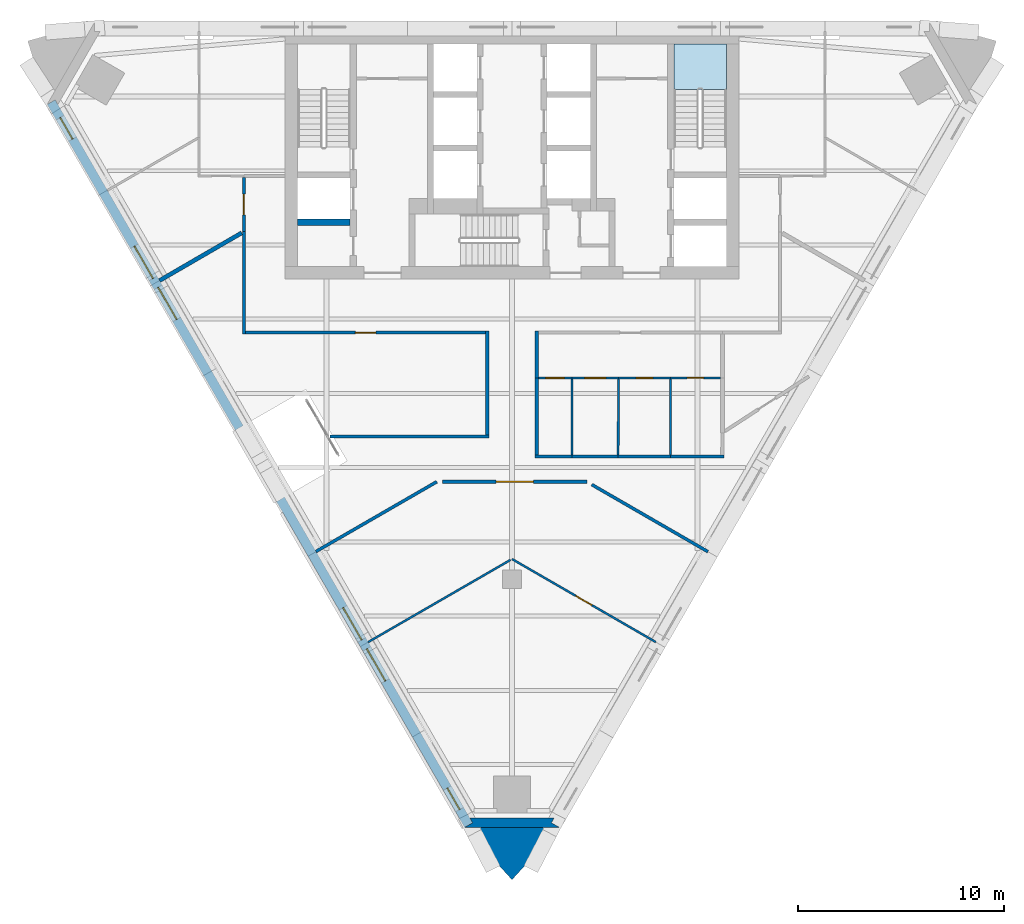
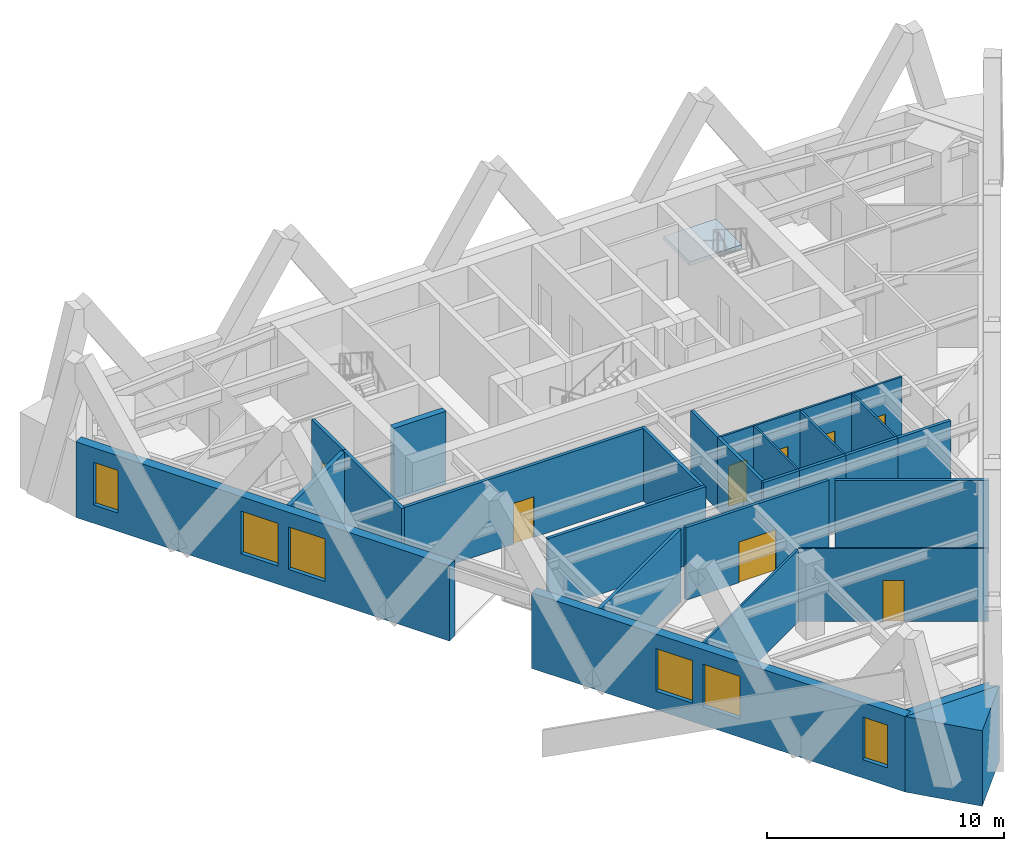
# One storey, part 4 of 9: 29 walls, 8 doors, 6 windows, 1 slab, 14 openings, 1 element without a shape of its own.
"""IFC4 building model written with IfcOpenShell, lengths in metres."""

from ifc_helpers import new_model, si_unit, direction, frame, frame_2d, origin, place, context, subcontext, project, spatial, polyline, rectangle, outline, extrude, material, layer, layer_set, type_object, element, fill, aggregate, save


model = new_model("IFC4")

# Units and contexts
model_context = context("Model", 3, precision=1e-05, world=origin(), true_north=direction((0.0, 1.0)))
body_context = subcontext(model_context, "Body", "Model", "MODEL_VIEW")
ifc_project = project(units=[si_unit("LENGTHUNIT", "METRE"), si_unit("AREAUNIT", "SQUARE_METRE"), si_unit("VOLUMEUNIT", "CUBIC_METRE"), si_unit("PLANEANGLEUNIT", "RADIAN"), si_unit("MASSUNIT", "GRAM", prefix="KILO")], contexts=[model_context])

# Site, building, storey
site_placement = place(None, origin())
site = spatial("IfcSite", under=ifc_project, at=site_placement, CompositionType="ELEMENT")
building_placement = place(site_placement, origin())
building = spatial("IfcBuilding", under=site, at=building_placement, Name="Aloe Facet Convention Tower", CompositionType="ELEMENT")
storey_placement = place(building_placement, frame((0.0, 0.0, 152.0)))
storey = spatial("IfcBuildingStorey", under=building, at=storey_placement, Name="L38", CompositionType="ELEMENT", Elevation=152.0)

# Stair, slab
ifc_material_1 = material(Name="Concrete C50/60", Category="concrete")
stair_type = type_object("IfcStairType", Name="CR-ST-22R", PredefinedType="HALF_TURN_STAIR", material=ifc_material_1)
stair_placement = place(storey_placement, origin())
stair = element("IfcStair", 1, at=stair_placement, inside=storey, type_object=stair_type, Name="L38 Protected exit stair ST2", PredefinedType="HALF_TURN_STAIR")
ifc_material_2 = material(Name="Concrete C50/60", Category="concrete")
ifc_layer_1 = layer(ifc_material_2, 0.199951171875)
ifc_layer_set_1 = layer_set([ifc_layer_1], Name="CR-SL-LANDING")
slab_type = type_object("IfcSlabType", Name="CR-SL-LANDING", PredefinedType="LANDING", material=ifc_layer_set_1)
slab_placement = place(storey_placement, frame((0.0, 0.0, 1.75)))
slab = element("IfcSlab", 2, at=slab_placement, type_object=slab_type, Name="ST2 landing 1", PredefinedType="LANDING", context=body_context, shape_type="SweptSolid", body=[
    extrude(outline(polyline([(90.39990234375, 131.75), (90.39990234375, 133.949951171875), (87.85009765625, 133.949951171875), (87.85009765625, 131.75), (90.39990234375, 131.75)])), origin(), (0.0, 0.0, 1.0), 0.199951171875),
])
aggregate(stair, [slab])

# Walls
ifc_material_3 = material(Name="Concrete C60/75", Category="concrete")
ifc_layer_2 = layer(ifc_material_3, 0.300048828125)
ifc_layer_set_2 = layer_set([ifc_layer_2], Name="CR-W-RC300-C6075")
wall_type_1 = type_object("IfcWallType", Name="CR-W-RC300-C6075", PredefinedType="SOLIDWALL", material=ifc_layer_set_2)
wall_1_placement = place(storey_placement, frame((69.60009765625, 125.300048828125, 0.0), z_axis=(0.0, 0.0, 1.0), x_axis=(1.0, 0.0, 0.0)))
element("IfcWall", 3, at=wall_1_placement, inside=storey, type_object=wall_type_1, Name="Core wall L38-005", PredefinedType="SOLIDWALL", context=body_context, shape_type="SweptSolid", body=[
    extrude(rectangle(XDim=2.5498046875, YDim=0.300048828125, at=frame_2d((1.27490234375, 0.0))), origin(), (0.0, 0.0, 1.0), 3.75),
])
ifc_material_4 = material(Name="Precast concrete C40/50", Category="concrete")
ifc_layer_3 = layer(ifc_material_4, 0.449951171875)
ifc_layer_set_3 = layer_set([ifc_layer_3], Name="EV-WALL-PIER")
wall_type_2 = type_object("IfcWallType", Name="EV-WALL-PIER", PredefinedType="SOLIDWALL", material=ifc_layer_set_3)
wall_2_placement = place(storey_placement, frame((0.0, 0.0, -0.14990234375)))
element("IfcWall", 4, at=wall_2_placement, inside=storey, type_object=wall_type_2, Name="EP-L38-B", PredefinedType="SOLIDWALL", context=body_context, shape_type="SweptSolid", body=[
    extrude(outline(polyline([(77.699951171875, 95.954345703125), (78.089599609375, 96.17919921875), (77.959716796875, 96.404296875), (82.040283203125, 96.404296875), (81.910400390625, 96.17919921875), (82.300048828125, 95.954345703125), (77.699951171875, 95.954345703125)])), origin(), (0.0, 0.0, 1.0), 3.89990234375),
])
ifc_material_5 = material(Name="Precast concrete C40/50", Category="concrete")
ifc_layer_4 = layer(ifc_material_5, 3.947998046875)
ifc_layer_set_4 = layer_set([ifc_layer_4], Name="EV-WALL-SPINE")
wall_type_3 = type_object("IfcWallType", Name="EV-WALL-SPINE", PredefinedType="SOLIDWALL", material=ifc_layer_set_4)
wall_3_placement = place(storey_placement, frame((0.0, 0.0, -0.14990234375)))
element("IfcWall", 5, at=wall_3_placement, inside=storey, type_object=wall_type_3, Name="SP-S-L38", PredefinedType="SOLIDWALL", context=body_context, shape_type="SweptSolid", body=[
    extrude(outline(polyline([(77.699951171875, 95.954345703125), (80.0, 93.4140625), (82.300048828125, 95.954345703125), (77.699951171875, 95.954345703125)])), origin(), (0.0, 0.0, 1.0), 3.89990234375),
])

# Wall, openings, windows
ifc_material_6 = material(Name="Precast concrete C40/50", Category="concrete")
ifc_layer_5 = layer(ifc_material_6, 0.449951171875)
ifc_layer_set_5 = layer_set([ifc_layer_5], Name="EV-WALL-STONE")
wall_type_4 = type_object("IfcWallType", Name="EV-WALL-STONE", PredefinedType="SOLIDWALL", material=ifc_layer_set_5)
wall_4_placement = place(storey_placement, frame((57.65185546875, 131.128662109375, -0.14990234375), z_axis=(0.0, 0.0, 1.0), x_axis=(0.50000511266, -0.866022451969, 0.0)))
wall_4 = element("IfcWall", 6, at=wall_4_placement, inside=storey, type_object=wall_type_4, Name="EW-L38-W01", PredefinedType="SOLIDWALL", context=body_context, shape_type="SweptSolid", body=[
    extrude(outline(polyline([(0.0, 0.0), (0.0, 3.89990234375), (18.2431640625, 3.89990234375), (18.2431640625, 0.0), (0.0, 0.0)])), frame((0.0, 0.22509765625, 0.0), z_axis=(0.0, -1.0, 0.0), x_axis=(1.0, 0.0, 0.0)), (0.0, 0.0, 1.0), 0.449951171875),
])
opening_1_placement = place(wall_4_placement, frame((0.86962890625, 0.0, 0.949951171875)))
opening_1 = element("IfcOpeningElement", 7, at=opening_1_placement, cuts=wall_4, Name="Opening W-L38-W01", PredefinedType="OPENING", context=body_context, shape_type="SweptSolid", body=[
    extrude(rectangle(XDim=1.199951171875, YDim=2.199951171875, at=frame_2d((0.60009765625, 1.10009765625))), frame((0.0, 0.23486328125, 0.0), z_axis=(0.0, -1.0, 0.0), x_axis=(1.0, 0.0, 0.0)), (0.0, 0.0, 1.0), 0.469970703125),
])
opening_2_placement = place(wall_4_placement, frame((8.071533203125, 0.0, 0.949951171875)))
opening_2 = element("IfcOpeningElement", 8, at=opening_2_placement, cuts=wall_4, Name="Opening W-L38-W02", PredefinedType="OPENING", context=body_context, shape_type="SweptSolid", body=[
    extrude(rectangle(XDim=1.800048828125, YDim=2.199951171875, at=frame_2d((0.89990234375, 1.10009765625))), frame((0.0, 0.23486328125, 0.0), z_axis=(0.0, -1.0, 0.0), x_axis=(1.0, 0.0, 0.0)), (0.0, 0.0, 1.0), 0.469970703125),
])
opening_3_placement = place(wall_4_placement, frame((10.37158203125, 0.0, 0.949951171875)))
opening_3 = element("IfcOpeningElement", 9, at=opening_3_placement, cuts=wall_4, Name="Opening W-L38-W03", PredefinedType="OPENING", context=body_context, shape_type="SweptSolid", body=[
    extrude(rectangle(XDim=1.800048828125, YDim=2.199951171875, at=frame_2d((0.89990234375, 1.10009765625))), frame((0.0, 0.23486328125, 0.0), z_axis=(0.0, -1.0, 0.0), x_axis=(1.0, 0.0, 0.0)), (0.0, 0.0, 1.0), 0.469970703125),
])
ifc_material_7 = material(Name="Aluminium frame, clear double glazing", Category="aluminium")
window_type_1 = type_object("IfcWindowType", Name="EV-WIN-O12", PartitioningType="SINGLE_PANEL", PredefinedType="WINDOW", material=ifc_material_7)
window_1_placement = place(opening_1_placement, origin())
window_1 = element("IfcWindow", 10, at=window_1_placement, inside=storey, type_object=window_type_1, Name="W-L38-W01", OverallHeight=2.199951171875, OverallWidth=1.199951171875, PartitioningType="SINGLE_PANEL", PredefinedType="WINDOW", context=body_context, shape_type="SweptSolid", body=[
    extrude(rectangle(XDim=1.199951171875, YDim=2.199951171875, at=frame_2d((0.60009765625, 1.10009765625))), frame((0.0, 0.030029296875, 0.0), z_axis=(0.0, -1.0, 0.0), x_axis=(1.0, 0.0, 0.0)), (0.0, 0.0, 1.0), 0.06005859375),
])
fill(opening_1, window_1)
ifc_material_8 = material(Name="Aluminium frame, clear double glazing", Category="aluminium")
window_type_2 = type_object("IfcWindowType", Name="EV-WIN-O18", PartitioningType="SINGLE_PANEL", PredefinedType="WINDOW", material=ifc_material_8)
window_2_placement = place(opening_2_placement, origin())
window_2 = element("IfcWindow", 11, at=window_2_placement, inside=storey, type_object=window_type_2, Name="W-L38-W02", OverallHeight=2.199951171875, OverallWidth=1.800048828125, PartitioningType="SINGLE_PANEL", PredefinedType="WINDOW", context=body_context, shape_type="SweptSolid", body=[
    extrude(rectangle(XDim=1.800048828125, YDim=2.199951171875, at=frame_2d((0.89990234375, 1.10009765625))), frame((0.0, 0.030029296875, 0.0), z_axis=(0.0, -1.0, 0.0), x_axis=(1.0, 0.0, 0.0)), (0.0, 0.0, 1.0), 0.06005859375),
])
fill(opening_2, window_2)
window_3_placement = place(opening_3_placement, origin())
window_3 = element("IfcWindow", 12, at=window_3_placement, inside=storey, type_object=window_type_2, Name="W-L38-W03", OverallHeight=2.199951171875, OverallWidth=1.800048828125, PartitioningType="SINGLE_PANEL", PredefinedType="WINDOW", context=body_context, shape_type="SweptSolid", body=[
    extrude(rectangle(XDim=1.800048828125, YDim=2.199951171875, at=frame_2d((0.89990234375, 1.10009765625))), frame((0.0, 0.030029296875, 0.0), z_axis=(0.0, -1.0, 0.0), x_axis=(1.0, 0.0, 0.0)), (0.0, 0.0, 1.0), 0.06005859375),
])
fill(opening_3, window_3)

wall_5_placement = place(storey_placement, frame((68.7734375, 111.86572265625, -0.14990234375), z_axis=(0.0, 0.0, 1.0), x_axis=(0.499989280757, -0.866031592454, 0.0)))
wall_5 = element("IfcWall", 13, at=wall_5_placement, inside=storey, type_object=wall_type_4, Name="EW-L38-W02", PredefinedType="SOLIDWALL", context=body_context, shape_type="SweptSolid", body=[
    extrude(outline(polyline([(18.2431640625, 3.89990234375), (18.2431640625, 0.0), (0.0, 0.0), (0.0, 3.89990234375), (18.2431640625, 3.89990234375)])), frame((0.0, 0.22509765625, 0.0), z_axis=(0.0, -1.0, 0.0), x_axis=(1.0, 0.0, 0.0)), (0.0, 0.0, 1.0), 0.449951171875),
])
opening_4_placement = place(wall_5_placement, frame((6.071533203125, 0.0, 0.949951171875)))
opening_4 = element("IfcOpeningElement", 14, at=opening_4_placement, cuts=wall_5, Name="Opening W-L38-W04", PredefinedType="OPENING", context=body_context, shape_type="SweptSolid", body=[
    extrude(rectangle(XDim=1.800048828125, YDim=2.199951171875, at=frame_2d((0.89990234375, 1.10009765625))), frame((0.0, 0.23486328125, 0.0), z_axis=(0.0, -1.0, 0.0), x_axis=(1.0, 0.0, 0.0)), (0.0, 0.0, 1.0), 0.469970703125),
])
opening_5_placement = place(wall_5_placement, frame((8.37158203125, 0.0, 0.949951171875)))
opening_5 = element("IfcOpeningElement", 15, at=opening_5_placement, cuts=wall_5, Name="Opening W-L38-W05", PredefinedType="OPENING", context=body_context, shape_type="SweptSolid", body=[
    extrude(rectangle(XDim=1.800048828125, YDim=2.199951171875, at=frame_2d((0.89990234375, 1.10009765625))), frame((0.0, 0.23486328125, 0.0), z_axis=(0.0, -1.0, 0.0), x_axis=(1.0, 0.0, 0.0)), (0.0, 0.0, 1.0), 0.469970703125),
])
opening_6_placement = place(wall_5_placement, frame((16.17333984375, 0.0, 0.949951171875)))
opening_6 = element("IfcOpeningElement", 16, at=opening_6_placement, cuts=wall_5, Name="Opening W-L38-W06", PredefinedType="OPENING", context=body_context, shape_type="SweptSolid", body=[
    extrude(rectangle(XDim=1.199951171875, YDim=2.199951171875, at=frame_2d((0.60009765625, 1.10009765625))), frame((0.0, 0.23486328125, 0.0), z_axis=(0.0, -1.0, 0.0), x_axis=(1.0, 0.0, 0.0)), (0.0, 0.0, 1.0), 0.469970703125),
])
window_4_placement = place(opening_6_placement, origin())
window_4 = element("IfcWindow", 17, at=window_4_placement, inside=storey, type_object=window_type_1, Name="W-L38-W06", OverallHeight=2.199951171875, OverallWidth=1.199951171875, PartitioningType="SINGLE_PANEL", PredefinedType="WINDOW", context=body_context, shape_type="SweptSolid", body=[
    extrude(rectangle(XDim=1.199951171875, YDim=2.199951171875, at=frame_2d((0.60009765625, 1.10009765625))), frame((0.0, 0.030029296875, 0.0), z_axis=(0.0, -1.0, 0.0), x_axis=(1.0, 0.0, 0.0)), (0.0, 0.0, 1.0), 0.06005859375),
])
fill(opening_6, window_4)
window_5_placement = place(opening_4_placement, origin())
window_5 = element("IfcWindow", 18, at=window_5_placement, inside=storey, type_object=window_type_2, Name="W-L38-W04", OverallHeight=2.199951171875, OverallWidth=1.800048828125, PartitioningType="SINGLE_PANEL", PredefinedType="WINDOW", context=body_context, shape_type="SweptSolid", body=[
    extrude(rectangle(XDim=1.800048828125, YDim=2.199951171875, at=frame_2d((0.89990234375, 1.10009765625))), frame((0.0, 0.030029296875, 0.0), z_axis=(0.0, -1.0, 0.0), x_axis=(1.0, 0.0, 0.0)), (0.0, 0.0, 1.0), 0.06005859375),
])
fill(opening_4, window_5)
window_6_placement = place(opening_5_placement, origin())
window_6 = element("IfcWindow", 19, at=window_6_placement, inside=storey, type_object=window_type_2, Name="W-L38-W05", OverallHeight=2.199951171875, OverallWidth=1.800048828125, PartitioningType="SINGLE_PANEL", PredefinedType="WINDOW", context=body_context, shape_type="SweptSolid", body=[
    extrude(rectangle(XDim=1.800048828125, YDim=2.199951171875, at=frame_2d((0.89990234375, 1.10009765625))), frame((0.0, 0.030029296875, 0.0), z_axis=(0.0, -1.0, 0.0), x_axis=(1.0, 0.0, 0.0)), (0.0, 0.0, 1.0), 0.06005859375),
])
fill(opening_5, window_6)

# Wall
ifc_material_9 = material(Name="Gypsum board partition on steel studs", Category="steel")
ifc_layer_6 = layer(ifc_material_9, 0.14990234375)
ifc_layer_set_6 = layer_set([ifc_layer_6], Name="IN-W-CORR")
wall_type_5 = type_object("IfcWallType", Name="IN-W-CORR", PredefinedType="PARTITIONING", material=ifc_layer_set_6)
wall_6_placement = place(storey_placement, frame((70.493896484375, 109.33544921875, 0.0), z_axis=(0.0, 0.0, 1.0), x_axis=(0.866025150839, 0.500000438114, 0.0)))
element("IfcWall", 20, at=wall_6_placement, inside=storey, type_object=wall_type_5, Name="Partition L38-W003", PredefinedType="PARTITIONING", context=body_context, shape_type="SweptSolid", body=[
    extrude(rectangle(XDim=6.76611328125, YDim=0.14990234375, at=frame_2d((3.383056640625, 0.0))), origin(), (0.0, 0.0, 1.0), 3.75),
])

# Wall, opening, door
wall_7_placement = place(storey_placement, frame((76.633544921875, 112.718505859375, 0.0), z_axis=(0.0, 0.0, 1.0), x_axis=(1.0, 0.0, 0.0)))
wall_7 = element("IfcWall", 21, at=wall_7_placement, inside=storey, type_object=wall_type_5, Name="Partition L38-W004", PredefinedType="PARTITIONING", context=body_context, shape_type="SweptSolid", body=[
    extrude(rectangle(XDim=6.99462890625, YDim=0.14990234375, at=frame_2d((3.497314453125, 0.0))), origin(), (0.0, 0.0, 1.0), 3.75),
])
opening_7_placement = place(wall_7_placement, frame((2.597412109375, 0.0, 0.0)))
opening_7 = element("IfcOpeningElement", 22, at=opening_7_placement, cuts=wall_7, Name="Opening L38-015", PredefinedType="OPENING", context=body_context, shape_type="SweptSolid", body=[
    extrude(rectangle(XDim=1.800048828125, YDim=2.10009765625, at=frame_2d((0.89990234375, 1.050048828125))), frame((0.0, 0.0849609375, 0.0), z_axis=(0.0, -1.0, 0.0), x_axis=(1.0, 0.0, 0.0)), (0.0, 0.0, 1.0), 0.169921875),
])
ifc_material_10 = material(Name="Glazed timber door pair FD30S", Category="wood")
door_type_1 = type_object("IfcDoorType", Name="IN-OFF-D-SUITE", OperationType="DOUBLE_DOOR_SINGLE_SWING", PredefinedType="DOOR", material=ifc_material_10)
door_1_placement = place(opening_7_placement, origin())
door_1 = element("IfcDoor", 23, at=door_1_placement, inside=storey, type_object=door_type_1, Name="Door L38-015", OperationType="SINGLE_SWING_LEFT", OverallHeight=2.10009765625, OverallWidth=1.800048828125, PredefinedType="DOOR", context=body_context, shape_type="SweptSolid", body=[
    extrude(rectangle(XDim=1.800048828125, YDim=2.10009765625, at=frame_2d((0.89990234375, 1.050048828125))), frame((0.0, 0.02490234375, 0.0), z_axis=(0.0, -1.0, 0.0), x_axis=(1.0, 0.0, 0.0)), (0.0, 0.0, 1.0), 0.050048828125),
])
fill(opening_7, door_1)

# Walls
wall_8_placement = place(storey_placement, frame((83.87060546875, 112.57861328125, 0.0), z_axis=(0.0, 0.0, 1.0), x_axis=(0.866009251978, -0.500027974705, 0.0)))
element("IfcWall", 24, at=wall_8_placement, inside=storey, type_object=wall_type_5, Name="Partition L38-W005", PredefinedType="PARTITIONING", context=body_context, shape_type="SweptSolid", body=[
    extrude(rectangle(XDim=6.502197265625, YDim=0.14990234375, at=frame_2d((3.2509765625, 0.0))), origin(), (0.0, 0.0, 1.0), 3.75),
])
wall_9_placement = place(storey_placement, frame((81.126953125, 113.949951171875, 0.0), z_axis=(0.0, 0.0, 1.0), x_axis=(1.0, 0.0, 0.0)))
element("IfcWall", 25, at=wall_9_placement, inside=storey, type_object=wall_type_5, Name="Partition L38-W006", PredefinedType="PARTITIONING", context=body_context, shape_type="SweptSolid", body=[
    extrude(rectangle(XDim=1.77294921875, YDim=0.14990234375, at=frame_2d((0.886474609375, 0.0))), origin(), (0.0, 0.0, 1.0), 3.75),
])
wall_10_placement = place(storey_placement, frame((82.89990234375, 113.949951171875, 0.0), z_axis=(0.0, 0.0, 1.0), x_axis=(1.0, 0.0, 0.0)))
element("IfcWall", 26, at=wall_10_placement, inside=storey, type_object=wall_type_5, Name="Partition L38-W007", PredefinedType="PARTITIONING", context=body_context, shape_type="SweptSolid", body=[
    extrude(rectangle(XDim=2.25, YDim=0.14990234375, at=frame_2d((1.125, 0.0))), origin(), (0.0, 0.0, 1.0), 3.75),
])
wall_11_placement = place(storey_placement, frame((85.14990234375, 113.949951171875, 0.0), z_axis=(0.0, 0.0, 1.0), x_axis=(1.0, 0.0, 0.0)))
element("IfcWall", 27, at=wall_11_placement, inside=storey, type_object=wall_type_5, Name="Partition L38-W008", PredefinedType="PARTITIONING", context=body_context, shape_type="SweptSolid", body=[
    extrude(rectangle(XDim=2.5400390625, YDim=0.14990234375, at=frame_2d((1.27001953125, 0.0))), origin(), (0.0, 0.0, 1.0), 3.75),
])
wall_12_placement = place(storey_placement, frame((87.68994140625, 113.949951171875, 0.0), z_axis=(0.0, 0.0, 1.0), x_axis=(1.0, 0.0, 0.0)))
element("IfcWall", 28, at=wall_12_placement, inside=storey, type_object=wall_type_5, Name="Partition L38-W009", PredefinedType="PARTITIONING", context=body_context, shape_type="SweptSolid", body=[
    extrude(rectangle(XDim=2.5830078125, YDim=0.14990234375, at=frame_2d((1.29150390625, 0.0))), origin(), (0.0, 0.0, 1.0), 3.75),
])
wall_13_placement = place(storey_placement, frame((71.16455078125, 114.91845703125, 0.0), z_axis=(0.0, 0.0, 1.0), x_axis=(1.0, 0.0, 0.0)))
element("IfcWall", 29, at=wall_13_placement, inside=storey, type_object=wall_type_5, Name="Partition L38-W011", PredefinedType="PARTITIONING", context=body_context, shape_type="SweptSolid", body=[
    extrude(rectangle(XDim=7.70849609375, YDim=0.14990234375, at=frame_2d((3.854248046875, 0.0))), origin(), (0.0, 0.0, 1.0), 3.75),
])
wall_14_placement = place(storey_placement, frame((78.798095703125, 114.993408203125, 0.0), z_axis=(0.0, 0.0, 1.0), x_axis=(0.000388330634, 0.9999999246, 0.0)))
element("IfcWall", 30, at=wall_14_placement, inside=storey, type_object=wall_type_5, Name="Partition L38-W012", PredefinedType="PARTITIONING", context=body_context, shape_type="SweptSolid", body=[
    extrude(rectangle(XDim=5.029541015625, YDim=0.14990234375, at=frame_2d((2.5146484375, 0.0))), origin(), (0.0, 0.0, 1.0), 3.75),
])
wall_15_placement = place(storey_placement, frame((81.201904296875, 114.02490234375, 0.0), z_axis=(0.0, 0.0, 1.0), x_axis=(-0.000524315041, 0.999999862547, 0.0)))
element("IfcWall", 31, at=wall_15_placement, inside=storey, type_object=wall_type_5, Name="Partition L38-W023", PredefinedType="PARTITIONING", context=body_context, shape_type="SweptSolid", body=[
    extrude(rectangle(XDim=3.72509765625, YDim=0.14990234375, at=frame_2d((1.862548828125, 0.0))), origin(), (0.0, 0.0, 1.0), 3.75),
])
wall_16_placement = place(storey_placement, frame((81.199951171875, 117.75, 0.0), z_axis=(0.0, 0.0, 1.0), x_axis=(0.0, 1.0, 0.0)))
element("IfcWall", 32, at=wall_16_placement, inside=storey, type_object=wall_type_5, Name="Partition L38-W024", PredefinedType="PARTITIONING", context=body_context, shape_type="SweptSolid", body=[
    extrude(rectangle(XDim=2.27294921875, YDim=0.14990234375, at=frame_2d((1.136474609375, 0.0))), origin(), (0.0, 0.0, 1.0), 3.75),
])
wall_17_placement = place(storey_placement, frame((67.0, 119.875, 0.0), z_axis=(0.0, 0.0, 1.0), x_axis=(0.0, 1.0, 0.0)))
element("IfcWall", 33, at=wall_17_placement, inside=storey, type_object=wall_type_5, Name="Partition L38-W025", PredefinedType="PARTITIONING", context=body_context, shape_type="SweptSolid", body=[
    extrude(rectangle(XDim=4.974853515625, YDim=0.14990234375, at=frame_2d((2.4873046875, 0.0))), origin(), (0.0, 0.0, 1.0), 3.75),
])

# Wall, opening, door
wall_18_placement = place(storey_placement, frame((67.074951171875, 119.949951171875, 0.0), z_axis=(0.0, 0.0, 1.0), x_axis=(0.999999985947, -0.000167648104, 0.0)))
wall_18 = element("IfcWall", 34, at=wall_18_placement, inside=storey, type_object=wall_type_5, Name="Partition L38-W026", PredefinedType="PARTITIONING", context=body_context, shape_type="SweptSolid", body=[
    extrude(rectangle(XDim=11.650146484375, YDim=0.14990234375, at=frame_2d((5.8251953125, 0.0))), origin(), (0.0, 0.0, 1.0), 3.75),
])
opening_8_placement = place(wall_18_placement, frame((5.324951171875, 0.0, 0.0)))
opening_8 = element("IfcOpeningElement", 35, at=opening_8_placement, cuts=wall_18, Name="Opening L38-009", PredefinedType="OPENING", context=body_context, shape_type="SweptSolid", body=[
    extrude(rectangle(XDim=1.0, YDim=2.10009765625, at=frame_2d((0.5, 1.050048828125))), frame((0.0, 0.0849609375, 0.0), z_axis=(0.0, -1.0, 0.0), x_axis=(1.0, 0.0, 0.0)), (0.0, 0.0, 1.0), 0.169921875),
])
ifc_material_11 = material(Name="Timber door FD30S with vision panel", Category="wood")
door_type_2 = type_object("IfcDoorType", Name="IN-OFF-D-ENTRY", OperationType="SINGLE_SWING_LEFT", PredefinedType="DOOR", material=ifc_material_11)
door_2_placement = place(opening_8_placement, origin())
door_2 = element("IfcDoor", 36, at=door_2_placement, inside=storey, type_object=door_type_2, Name="Door L38-009", OperationType="SINGLE_SWING_LEFT", OverallHeight=2.10009765625, OverallWidth=1.0, PredefinedType="DOOR", context=body_context, shape_type="SweptSolid", body=[
    extrude(rectangle(XDim=1.0, YDim=2.10009765625, at=frame_2d((0.5, 1.050048828125))), frame((0.0, 0.02490234375, 0.0), z_axis=(0.0, -1.0, 0.0), x_axis=(1.0, 0.0, 0.0)), (0.0, 0.0, 1.0), 0.050048828125),
])
fill(opening_8, door_2)

wall_19_placement = place(storey_placement, frame((67.0, 124.849853515625, 0.0), z_axis=(0.0, 0.0, 1.0), x_axis=(0.0, 1.0, 0.0)))
wall_19 = element("IfcWall", 37, at=wall_19_placement, inside=storey, type_object=wall_type_5, Name="Partition L38-W031", PredefinedType="PARTITIONING", context=body_context, shape_type="SweptSolid", body=[
    extrude(rectangle(XDim=2.625, YDim=0.14990234375, at=frame_2d((1.3125, 0.0))), origin(), (0.0, 0.0, 1.0), 3.75),
])
opening_9_placement = place(wall_19_placement, frame((0.8125, 0.0, 0.0)))
opening_9 = element("IfcOpeningElement", 38, at=opening_9_placement, cuts=wall_19, Name="Opening L38-008", PredefinedType="OPENING", context=body_context, shape_type="SweptSolid", body=[
    extrude(rectangle(XDim=1.0, YDim=2.10009765625, at=frame_2d((0.5, 1.050048828125))), frame((0.0, 0.0849609375, 0.0), z_axis=(0.0, -1.0, 0.0), x_axis=(1.0, 0.0, 0.0)), (0.0, 0.0, 1.0), 0.169921875),
])
door_3_placement = place(opening_9_placement, origin())
door_3 = element("IfcDoor", 39, at=door_3_placement, inside=storey, type_object=door_type_2, Name="Door L38-008", OperationType="SINGLE_SWING_LEFT", OverallHeight=2.10009765625, OverallWidth=1.0, PredefinedType="DOOR", context=body_context, shape_type="SweptSolid", body=[
    extrude(rectangle(XDim=1.0, YDim=2.10009765625, at=frame_2d((0.5, 1.050048828125))), frame((0.0, 0.02490234375, 0.0), z_axis=(0.0, -1.0, 0.0), x_axis=(1.0, 0.0, 0.0)), (0.0, 0.0, 1.0), 0.050048828125),
])
fill(opening_9, door_3)

ifc_material_12 = material(Name="Gypsum board partition on steel studs", Category="steel")
ifc_layer_7 = layer(ifc_material_12, 0.10009765625)
ifc_layer_set_7 = layer_set([ifc_layer_7], Name="IN-W-PART")
wall_type_6 = type_object("IfcWallType", Name="IN-W-PART", PredefinedType="PARTITIONING", material=ifc_layer_set_7)
wall_20_placement = place(storey_placement, frame((80.0, 108.969482421875, 0.0), z_axis=(0.0, 0.0, 1.0), x_axis=(0.86602648383, -0.499998129301, 0.0)))
wall_20 = element("IfcWall", 40, at=wall_20_placement, inside=storey, type_object=wall_type_6, Name="Partition L38-W001", PredefinedType="PARTITIONING", context=body_context, shape_type="SweptSolid", body=[
    extrude(rectangle(XDim=8.04931640625, YDim=0.10009765625, at=frame_2d((4.024658203125, 0.0))), origin(), (0.0, 0.0, 1.0), 3.75),
])
opening_10_placement = place(wall_20_placement, frame((3.57470703125, 0.0, 0.0)))
opening_10 = element("IfcOpeningElement", 41, at=opening_10_placement, cuts=wall_20, Name="Opening L38-014", PredefinedType="OPENING", context=body_context, shape_type="SweptSolid", body=[
    extrude(rectangle(XDim=0.89990234375, YDim=2.10009765625, at=frame_2d((0.449951171875, 1.050048828125))), frame((0.0, 0.06005859375, 0.0), z_axis=(0.0, -1.0, 0.0), x_axis=(1.0, 0.0, 0.0)), (0.0, 0.0, 1.0), 0.1201171875),
])
ifc_material_13 = material(Name="Timber door", Category="wood")
door_type_3 = type_object("IfcDoorType", Name="IN-OFF-D-ROOM", OperationType="SINGLE_SWING_LEFT", PredefinedType="DOOR", material=ifc_material_13)
door_4_placement = place(opening_10_placement, origin())
door_4 = element("IfcDoor", 42, at=door_4_placement, inside=storey, type_object=door_type_3, Name="Door L38-014", OperationType="SINGLE_SWING_LEFT", OverallHeight=2.10009765625, OverallWidth=0.89990234375, PredefinedType="DOOR", context=body_context, shape_type="SweptSolid", body=[
    extrude(rectangle(XDim=0.89990234375, YDim=2.10009765625, at=frame_2d((0.449951171875, 1.050048828125))), frame((0.0, 0.02490234375, 0.0), z_axis=(0.0, -1.0, 0.0), x_axis=(1.0, 0.0, 0.0)), (0.0, 0.0, 1.0), 0.050048828125),
])
fill(opening_10, door_4)

# Walls
wall_21_placement = place(storey_placement, frame((73.029052734375, 104.94482421875, 0.0), z_axis=(0.0, 0.0, 1.0), x_axis=(0.866023222546, 0.500003777996, 0.0)))
element("IfcWall", 43, at=wall_21_placement, inside=storey, type_object=wall_type_6, Name="Partition L38-W002", PredefinedType="PARTITIONING", context=body_context, shape_type="SweptSolid", body=[
    extrude(rectangle(XDim=7.962890625, YDim=0.10009765625, at=frame_2d((3.9814453125, 0.0))), origin(), (0.0, 0.0, 1.0), 3.75),
])
wall_22_placement = place(storey_placement, frame((82.900146484375, 114.02490234375, 0.0), z_axis=(0.0, 0.0, 1.0), x_axis=(0.002657268237, 0.999996469457, 0.0)))
element("IfcWall", 44, at=wall_22_placement, inside=storey, type_object=wall_type_6, Name="Partition L38-W016", PredefinedType="PARTITIONING", context=body_context, shape_type="SweptSolid", body=[
    extrude(rectangle(XDim=3.675048828125, YDim=0.10009765625, at=frame_2d((1.83740234375, 0.0))), origin(), (0.0, 0.0, 1.0), 3.75),
])

# Wall, opening, door
wall_23_placement = place(storey_placement, frame((81.27490234375, 117.75, 0.0), z_axis=(0.0, 0.0, 1.0), x_axis=(1.0, 0.0, 0.0)))
wall_23 = element("IfcWall", 45, at=wall_23_placement, inside=storey, type_object=wall_type_6, Name="Partition L38-W017", PredefinedType="PARTITIONING", context=body_context, shape_type="SweptSolid", body=[
    extrude(rectangle(XDim=1.635009765625, YDim=0.10009765625, at=frame_2d((0.8173828125, 0.0))), origin(), (0.0, 0.0, 1.0), 3.75),
])
opening_11_placement = place(wall_23_placement, frame((0.367431640625, 0.0, 0.0)))
opening_11 = element("IfcOpeningElement", 46, at=opening_11_placement, cuts=wall_23, Name="Opening L38-002", PredefinedType="OPENING", context=body_context, shape_type="SweptSolid", body=[
    extrude(rectangle(XDim=0.89990234375, YDim=2.10009765625, at=frame_2d((0.449951171875, 1.050048828125))), frame((0.0, 0.06005859375, 0.0), z_axis=(0.0, -1.0, 0.0), x_axis=(1.0, 0.0, 0.0)), (0.0, 0.0, 1.0), 0.1201171875),
])
door_5_placement = place(opening_11_placement, origin())
door_5 = element("IfcDoor", 47, at=door_5_placement, inside=storey, type_object=door_type_3, Name="Door L38-002", OperationType="SINGLE_SWING_LEFT", OverallHeight=2.10009765625, OverallWidth=0.89990234375, PredefinedType="DOOR", context=body_context, shape_type="SweptSolid", body=[
    extrude(rectangle(XDim=0.89990234375, YDim=2.10009765625, at=frame_2d((0.449951171875, 1.050048828125))), frame((0.0, 0.02490234375, 0.0), z_axis=(0.0, -1.0, 0.0), x_axis=(1.0, 0.0, 0.0)), (0.0, 0.0, 1.0), 0.050048828125),
])
fill(opening_11, door_5)

# Wall
wall_24_placement = place(storey_placement, frame((85.150146484375, 114.02490234375, 0.0), z_axis=(0.0, 0.0, 1.0), x_axis=(0.002657268237, 0.999996469457, 0.0)))
element("IfcWall", 48, at=wall_24_placement, inside=storey, type_object=wall_type_6, Name="Partition L38-W018", PredefinedType="PARTITIONING", context=body_context, shape_type="SweptSolid", body=[
    extrude(rectangle(XDim=3.675048828125, YDim=0.10009765625, at=frame_2d((1.83740234375, 0.0))), origin(), (0.0, 0.0, 1.0), 3.75),
])

# Wall, opening, door
wall_25_placement = place(storey_placement, frame((82.909912109375, 117.75, 0.0), z_axis=(0.0, 0.0, 1.0), x_axis=(1.0, 0.0, 0.0)))
wall_25 = element("IfcWall", 49, at=wall_25_placement, inside=storey, type_object=wall_type_6, Name="Partition L38-W019", PredefinedType="PARTITIONING", context=body_context, shape_type="SweptSolid", body=[
    extrude(rectangle(XDim=2.25, YDim=0.10009765625, at=frame_2d((1.125, 0.0))), origin(), (0.0, 0.0, 1.0), 3.75),
])
opening_12_placement = place(wall_25_placement, frame((0.625, 0.0, 0.0)))
opening_12 = element("IfcOpeningElement", 50, at=opening_12_placement, cuts=wall_25, Name="Opening L38-003", PredefinedType="OPENING", context=body_context, shape_type="SweptSolid", body=[
    extrude(rectangle(XDim=1.0, YDim=2.10009765625, at=frame_2d((0.5, 1.050048828125))), frame((0.0, 0.06005859375, 0.0), z_axis=(0.0, -1.0, 0.0), x_axis=(1.0, 0.0, 0.0)), (0.0, 0.0, 1.0), 0.1201171875),
])
ifc_material_14 = material(Name="Timber door", Category="wood")
door_type_4 = type_object("IfcDoorType", Name="IN-OFF-D-WIDE", OperationType="SINGLE_SWING_LEFT", PredefinedType="DOOR", material=ifc_material_14)
door_6_placement = place(opening_12_placement, origin())
door_6 = element("IfcDoor", 51, at=door_6_placement, inside=storey, type_object=door_type_4, Name="Door L38-003", OperationType="SINGLE_SWING_LEFT", OverallHeight=2.10009765625, OverallWidth=1.0, PredefinedType="DOOR", context=body_context, shape_type="SweptSolid", body=[
    extrude(rectangle(XDim=1.0, YDim=2.10009765625, at=frame_2d((0.5, 1.050048828125))), frame((0.0, 0.02490234375, 0.0), z_axis=(0.0, -1.0, 0.0), x_axis=(1.0, 0.0, 0.0)), (0.0, 0.0, 1.0), 0.050048828125),
])
fill(opening_12, door_6)

# Wall
wall_26_placement = place(storey_placement, frame((87.689697265625, 114.02490234375, 0.0), z_axis=(0.0, 0.0, 1.0), x_axis=(-0.002590836983, 0.999996643776, 0.0)))
element("IfcWall", 52, at=wall_26_placement, inside=storey, type_object=wall_type_6, Name="Partition L38-W020", PredefinedType="PARTITIONING", context=body_context, shape_type="SweptSolid", body=[
    extrude(rectangle(XDim=3.675048828125, YDim=0.10009765625, at=frame_2d((1.83740234375, 0.0))), origin(), (0.0, 0.0, 1.0), 3.75),
])

# Wall, opening, door
wall_27_placement = place(storey_placement, frame((85.159912109375, 117.75, 0.0), z_axis=(0.0, 0.0, 1.0), x_axis=(1.0, 0.0, 0.0)))
wall_27 = element("IfcWall", 53, at=wall_27_placement, inside=storey, type_object=wall_type_6, Name="Partition L38-W021", PredefinedType="PARTITIONING", context=body_context, shape_type="SweptSolid", body=[
    extrude(rectangle(XDim=2.52001953125, YDim=0.10009765625, at=frame_2d((1.260009765625, 0.0))), origin(), (0.0, 0.0, 1.0), 3.75),
])
opening_13_placement = place(wall_27_placement, frame((0.860107421875, 0.0, 0.0)))
opening_13 = element("IfcOpeningElement", 54, at=opening_13_placement, cuts=wall_27, Name="Opening L38-004", PredefinedType="OPENING", context=body_context, shape_type="SweptSolid", body=[
    extrude(rectangle(XDim=0.800048828125, YDim=2.10009765625, at=frame_2d((0.39990234375, 1.050048828125))), frame((0.0, 0.06005859375, 0.0), z_axis=(0.0, -1.0, 0.0), x_axis=(1.0, 0.0, 0.0)), (0.0, 0.0, 1.0), 0.1201171875),
])
ifc_material_15 = material(Name="Timber door", Category="wood")
door_type_5 = type_object("IfcDoorType", Name="IN-OFF-D-WC", OperationType="SINGLE_SWING_LEFT", PredefinedType="DOOR", material=ifc_material_15)
door_7_placement = place(opening_13_placement, origin())
door_7 = element("IfcDoor", 55, at=door_7_placement, inside=storey, type_object=door_type_5, Name="Door L38-004", OperationType="SINGLE_SWING_LEFT", OverallHeight=2.10009765625, OverallWidth=0.800048828125, PredefinedType="DOOR", context=body_context, shape_type="SweptSolid", body=[
    extrude(rectangle(XDim=0.800048828125, YDim=2.10009765625, at=frame_2d((0.39990234375, 1.050048828125))), frame((0.0, 0.02490234375, 0.0), z_axis=(0.0, -1.0, 0.0), x_axis=(1.0, 0.0, 0.0)), (0.0, 0.0, 1.0), 0.050048828125),
])
fill(opening_13, door_7)

wall_28_placement = place(storey_placement, frame((87.679931640625, 117.75, 0.0), z_axis=(0.0, 0.0, 1.0), x_axis=(0.999992261016, 0.003934197335, 0.0)))
wall_28 = element("IfcWall", 56, at=wall_28_placement, inside=storey, type_object=wall_type_6, Name="Partition L38-W022", PredefinedType="PARTITIONING", context=body_context, shape_type="SweptSolid", body=[
    extrude(rectangle(XDim=2.420166015625, YDim=0.10009765625, at=frame_2d((1.2099609375, 0.0))), origin(), (0.0, 0.0, 1.0), 3.75),
])
opening_14_placement = place(wall_28_placement, frame((0.81005859375, 0.0, 0.0)))
opening_14 = element("IfcOpeningElement", 57, at=opening_14_placement, cuts=wall_28, Name="Opening L38-005", PredefinedType="OPENING", context=body_context, shape_type="SweptSolid", body=[
    extrude(rectangle(XDim=0.800048828125, YDim=2.10009765625, at=frame_2d((0.39990234375, 1.050048828125))), frame((0.0, 0.06005859375, 0.0), z_axis=(0.0, -1.0, 0.0), x_axis=(1.0, 0.0, 0.0)), (0.0, 0.0, 1.0), 0.1201171875),
])
door_8_placement = place(opening_14_placement, origin())
door_8 = element("IfcDoor", 58, at=door_8_placement, inside=storey, type_object=door_type_5, Name="Door L38-005", OperationType="SINGLE_SWING_LEFT", OverallHeight=2.10009765625, OverallWidth=0.800048828125, PredefinedType="DOOR", context=body_context, shape_type="SweptSolid", body=[
    extrude(rectangle(XDim=0.800048828125, YDim=2.10009765625, at=frame_2d((0.39990234375, 1.050048828125))), frame((0.0, 0.02490234375, 0.0), z_axis=(0.0, -1.0, 0.0), x_axis=(1.0, 0.0, 0.0)), (0.0, 0.0, 1.0), 0.050048828125),
])
fill(opening_14, door_8)

# Wall
ifc_material_16 = material(Name="Gypsum board partition on steel studs", Category="steel")
ifc_layer_8 = layer(ifc_material_16, 0.199951171875)
ifc_layer_set_8 = layer_set([ifc_layer_8], Name="IN-W-PARTY")
wall_type_7 = type_object("IfcWallType", Name="IN-W-PARTY", PredefinedType="PARTITIONING", material=ifc_layer_set_8)
wall_29_placement = place(storey_placement, frame((62.907470703125, 122.475830078125, 0.0), z_axis=(0.0, 0.0, 1.0), x_axis=(0.864998983095, 0.501773613539, 0.0)))
element("IfcWall", 59, at=wall_29_placement, inside=storey, type_object=wall_type_7, Name="Partition L38-W029", PredefinedType="PARTITIONING", context=body_context, shape_type="SweptSolid", body=[
    extrude(rectangle(XDim=4.606201171875, YDim=0.199951171875, at=frame_2d((2.30322265625, 0.0))), origin(), (0.0, 0.0, 1.0), 3.75),
])

save(model, "model.ifc")
